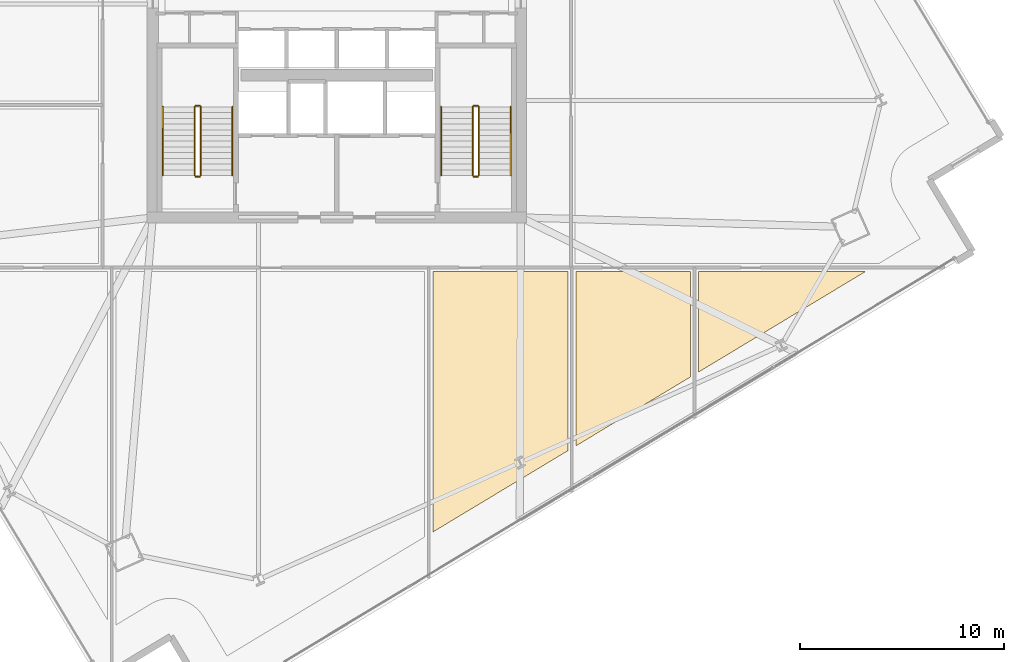
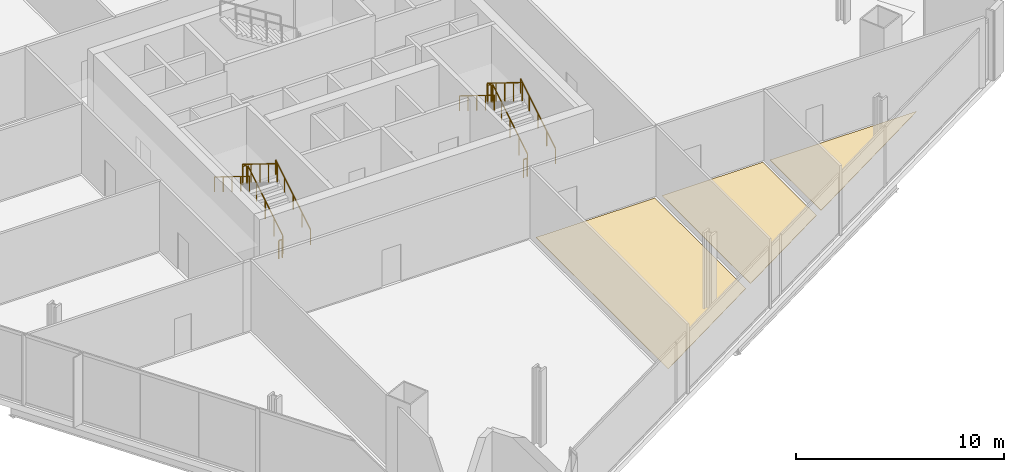
# One storey, part 27 of 30: 12 railings, 3 coverings.
"""IFC4 building model written with IfcOpenShell, lengths in metres."""

from ifc_helpers import new_model, si_unit, direction, frame, origin, origin_2d, place, context, subcontext, project, spatial, polyline, rectangle, outline, extrude, material, layer, layer_set, type_object, element, save


model = new_model("IFC4")

# Units and contexts
model_context = context("Model", 3, precision=1e-05, world=origin(), true_north=direction((0.0, 1.0)))
body_context = subcontext(model_context, "Body", "Model", "MODEL_VIEW")
ifc_project = project(units=[si_unit("LENGTHUNIT", "METRE"), si_unit("AREAUNIT", "SQUARE_METRE"), si_unit("VOLUMEUNIT", "CUBIC_METRE"), si_unit("PLANEANGLEUNIT", "RADIAN"), si_unit("MASSUNIT", "GRAM", prefix="KILO")], contexts=[model_context])

# Site, building, storey
site_placement = place(None, origin())
site = spatial("IfcSite", under=ifc_project, at=site_placement, CompositionType="ELEMENT")
building_placement = place(site_placement, origin())
building = spatial("IfcBuilding", under=site, at=building_placement, Name="Haldenkirk Collegiate Tower", CompositionType="ELEMENT")
storey_placement = place(building_placement, frame((0.0, 0.0, 131.699951171875)))
storey = spatial("IfcBuildingStorey", under=building, at=storey_placement, Name="L32", CompositionType="ELEMENT", Elevation=131.699951171875)

# Coverings
ifc_material_1 = material(Name="Polished collegiate terrazzo", Category="concrete")
ifc_layer_1 = layer(ifc_material_1, 0.02490234375)
ifc_layer_set_1 = layer_set([ifc_layer_1], Name="Polished collegiate terrazzo")
covering_type_1 = type_object("IfcCoveringType", Name="COV-FLOOR-TERRAZZO", PredefinedType="FLOORING", material=ifc_layer_set_1)
covering_1_placement = place(storey_placement, origin())
element("IfcCovering", 1, at=covering_1_placement, inside=storey, type_object=covering_type_1, Name="L32 academic room finish 04", PredefinedType="FLOORING", context=body_context, shape_type="SweptSolid", body=[
    extrude(outline(polyline([(47.699951171875, 6.83349609375), (47.699951171875, 15.35009765625), (53.300048828125, 15.35009765625), (53.300048828125, 10.204833984375), (47.699951171875, 6.83349609375)])), origin(), (0.0, 0.0, 1.0), 0.025146484375),
])
ifc_material_2 = material(Name="Engineered collegiate oak acoustic flooring", Category="wood")
ifc_layer_2 = layer(ifc_material_2, 0.02197265625)
ifc_layer_set_2 = layer_set([ifc_layer_2], Name="Engineered collegiate oak acoustic flooring")
covering_type_2 = type_object("IfcCoveringType", Name="COV-FLOOR-TIMBER", PredefinedType="FLOORING", material=ifc_layer_set_2)
covering_2_placement = place(storey_placement, origin())
element("IfcCovering", 2, at=covering_2_placement, inside=storey, type_object=covering_type_2, Name="L32 academic room finish 03", PredefinedType="FLOORING", context=body_context, shape_type="SweptSolid", body=[
    extrude(outline(polyline([(40.699951171875, 2.619140625), (40.699951171875, 15.35009765625), (47.300048828125, 15.35009765625), (47.300048828125, 6.592529296875), (40.699951171875, 2.619140625)])), origin(), (0.0, 0.0, 1.0), 0.02197265625),
])
covering_3_placement = place(storey_placement, origin())
element("IfcCovering", 3, at=covering_3_placement, inside=storey, type_object=covering_type_2, Name="L32 academic room finish 05", PredefinedType="FLOORING", context=body_context, shape_type="SweptSolid", body=[
    extrude(outline(polyline([(53.699951171875, 10.44580078125), (53.699951171875, 15.35009765625), (61.845947265625, 15.35009765625), (53.699951171875, 10.44580078125)])), origin(), (0.0, 0.0, 1.0), 0.02197265625),
])

# Railings
ifc_material_3 = material(Name="Painted architectural tubular steel", Category="steel")
railing_type_1 = type_object("IfcRailingType", Name="RLG-STAIR-GUARD-1100", PredefinedType="BALUSTRADE", material=ifc_material_3)
railing_1_placement = place(storey_placement, frame((29.35009765625, 20.050048828125, 0.173095703125)))
element("IfcRailing", 4, at=railing_1_placement, inside=storey, type_object=railing_type_1, Name="L32 ST-1 stair guard 1", PredefinedType="BALUSTRADE", context=body_context, shape_type="SweptSolid", body=[
    extrude(rectangle(XDim=0.048095703125, YDim=0.048095703125, at=origin_2d()), frame((0.0, 0.0, 1.076171875), z_axis=(0.0, 0.850606129759, 0.525803396734), x_axis=(-1.0, 0.0, 0.0)), (0.0, 0.0, 1.0), 3.949951171875),
    extrude(rectangle(XDim=0.0419921875, YDim=0.0419921875, at=origin_2d()), origin(), (0.0, 0.0, 1.0), 1.052001953125),
    extrude(rectangle(XDim=0.0419921875, YDim=0.0419921875, at=origin_2d()), frame((0.0, 0.83984375, 0.519287109375)), (0.0, 0.0, 1.0), 1.052001953125),
    extrude(rectangle(XDim=0.0419921875, YDim=0.0419921875, at=origin_2d()), frame((0.0, 1.679931640625, 1.03857421875)), (0.0, 0.0, 1.0), 1.052001953125),
    extrude(rectangle(XDim=0.0419921875, YDim=0.0419921875, at=origin_2d()), frame((0.0, 2.52001953125, 1.5576171875)), (0.0, 0.0, 1.0), 1.052001953125),
    extrude(rectangle(XDim=0.0419921875, YDim=0.0419921875, at=origin_2d()), frame((0.0, 3.35986328125, 2.076904296875)), (0.0, 0.0, 1.0), 1.052001953125),
])
railing_2_placement = place(storey_placement, frame((29.300048828125, 23.4599609375, 2.25)))
element("IfcRailing", 5, at=railing_2_placement, inside=storey, type_object=railing_type_1, Name="L32 ST-1 stair guard 2", PredefinedType="BALUSTRADE", context=body_context, shape_type="SweptSolid", body=[
    extrude(rectangle(XDim=0.048095703125, YDim=0.048095703125, at=origin_2d()), frame((0.0, 0.0, 1.076171875), z_axis=(-1.0, 0.0, 0.0), x_axis=(0.0, -1.0, 0.0)), (0.0, 0.0, 1.0), 0.199951171875),
    extrude(rectangle(XDim=0.0419921875, YDim=0.0419921875, at=origin_2d()), origin(), (0.0, 0.0, 1.0), 1.052001953125),
    extrude(rectangle(XDim=0.0419921875, YDim=0.0419921875, at=origin_2d()), frame((-0.199951171875, 0.0, 0.0)), (0.0, 0.0, 1.0), 1.052001953125),
])
railing_3_placement = place(storey_placement, frame((29.050048828125, 23.409912109375, 2.423095703125)))
element("IfcRailing", 6, at=railing_3_placement, inside=storey, type_object=railing_type_1, Name="L32 ST-1 stair guard 3", PredefinedType="BALUSTRADE", context=body_context, shape_type="SweptSolid", body=[
    extrude(rectangle(XDim=0.048095703125, YDim=0.048095703125, at=origin_2d()), frame((0.0, 0.0, 1.076171875), z_axis=(0.0, -0.850606129759, 0.525803396734), x_axis=(1.0, 0.0, 0.0)), (0.0, 0.0, 1.0), 3.949951171875),
    extrude(rectangle(XDim=0.0419921875, YDim=0.0419921875, at=origin_2d()), origin(), (0.0, 0.0, 1.0), 1.052001953125),
    extrude(rectangle(XDim=0.0419921875, YDim=0.0419921875, at=origin_2d()), frame((0.0, -0.83984375, 0.519287109375)), (0.0, 0.0, 1.0), 1.052001953125),
    extrude(rectangle(XDim=0.0419921875, YDim=0.0419921875, at=origin_2d()), frame((0.0, -1.679931640625, 1.03857421875)), (0.0, 0.0, 1.0), 1.052001953125),
    extrude(rectangle(XDim=0.0419921875, YDim=0.0419921875, at=origin_2d()), frame((0.0, -2.52001953125, 1.5576171875)), (0.0, 0.0, 1.0), 1.052001953125),
    extrude(rectangle(XDim=0.0419921875, YDim=0.0419921875, at=origin_2d()), frame((0.0, -3.35986328125, 2.076904296875)), (0.0, 0.0, 1.0), 1.052001953125),
])
railing_4_placement = place(storey_placement, frame((29.300048828125, 20.0, 0.0)))
element("IfcRailing", 7, at=railing_4_placement, inside=storey, type_object=railing_type_1, Name="L32 ST-1 stair guard 4", PredefinedType="BALUSTRADE", context=body_context, shape_type="SweptSolid", body=[
    extrude(rectangle(XDim=0.048095703125, YDim=0.048095703125, at=origin_2d()), frame((0.0, 0.0, 1.076171875), z_axis=(-1.0, 0.0, 0.0), x_axis=(0.0, -1.0, 0.0)), (0.0, 0.0, 1.0), 0.199951171875),
    extrude(rectangle(XDim=0.0419921875, YDim=0.0419921875, at=origin_2d()), origin(), (0.0, 0.0, 1.0), 1.052001953125),
    extrude(rectangle(XDim=0.0419921875, YDim=0.0419921875, at=origin_2d()), frame((-0.199951171875, 0.0, 0.0)), (0.0, 0.0, 1.0), 1.052001953125),
])
railing_5_placement = place(storey_placement, frame((42.949951171875, 20.050048828125, 0.173095703125)))
element("IfcRailing", 8, at=railing_5_placement, inside=storey, type_object=railing_type_1, Name="L32 ST-2 stair guard 1", PredefinedType="BALUSTRADE", context=body_context, shape_type="SweptSolid", body=[
    extrude(rectangle(XDim=0.048095703125, YDim=0.048095703125, at=origin_2d()), frame((0.0, 0.0, 1.076171875), z_axis=(0.0, 0.850606129759, 0.525803396734), x_axis=(-1.0, 0.0, 0.0)), (0.0, 0.0, 1.0), 3.949951171875),
    extrude(rectangle(XDim=0.0419921875, YDim=0.0419921875, at=origin_2d()), origin(), (0.0, 0.0, 1.0), 1.052001953125),
    extrude(rectangle(XDim=0.0419921875, YDim=0.0419921875, at=origin_2d()), frame((0.0, 0.83984375, 0.519287109375)), (0.0, 0.0, 1.0), 1.052001953125),
    extrude(rectangle(XDim=0.0419921875, YDim=0.0419921875, at=origin_2d()), frame((0.0, 1.679931640625, 1.03857421875)), (0.0, 0.0, 1.0), 1.052001953125),
    extrude(rectangle(XDim=0.0419921875, YDim=0.0419921875, at=origin_2d()), frame((0.0, 2.52001953125, 1.5576171875)), (0.0, 0.0, 1.0), 1.052001953125),
    extrude(rectangle(XDim=0.0419921875, YDim=0.0419921875, at=origin_2d()), frame((0.0, 3.35986328125, 2.076904296875)), (0.0, 0.0, 1.0), 1.052001953125),
])
railing_6_placement = place(storey_placement, frame((42.89990234375, 23.4599609375, 2.25)))
element("IfcRailing", 9, at=railing_6_placement, inside=storey, type_object=railing_type_1, Name="L32 ST-2 stair guard 2", PredefinedType="BALUSTRADE", context=body_context, shape_type="SweptSolid", body=[
    extrude(rectangle(XDim=0.048095703125, YDim=0.048095703125, at=origin_2d()), frame((0.0, 0.0, 1.076171875), z_axis=(-1.0, 0.0, 0.0), x_axis=(0.0, -1.0, 0.0)), (0.0, 0.0, 1.0), 0.199951171875),
    extrude(rectangle(XDim=0.0419921875, YDim=0.0419921875, at=origin_2d()), origin(), (0.0, 0.0, 1.0), 1.052001953125),
    extrude(rectangle(XDim=0.0419921875, YDim=0.0419921875, at=origin_2d()), frame((-0.199951171875, 0.0, 0.0)), (0.0, 0.0, 1.0), 1.052001953125),
])
railing_7_placement = place(storey_placement, frame((42.64990234375, 23.409912109375, 2.423095703125)))
element("IfcRailing", 10, at=railing_7_placement, inside=storey, type_object=railing_type_1, Name="L32 ST-2 stair guard 3", PredefinedType="BALUSTRADE", context=body_context, shape_type="SweptSolid", body=[
    extrude(rectangle(XDim=0.048095703125, YDim=0.048095703125, at=origin_2d()), frame((0.0, 0.0, 1.076171875), z_axis=(0.0, -0.850606129759, 0.525803396734), x_axis=(1.0, 0.0, 0.0)), (0.0, 0.0, 1.0), 3.949951171875),
    extrude(rectangle(XDim=0.0419921875, YDim=0.0419921875, at=origin_2d()), origin(), (0.0, 0.0, 1.0), 1.052001953125),
    extrude(rectangle(XDim=0.0419921875, YDim=0.0419921875, at=origin_2d()), frame((0.0, -0.83984375, 0.519287109375)), (0.0, 0.0, 1.0), 1.052001953125),
    extrude(rectangle(XDim=0.0419921875, YDim=0.0419921875, at=origin_2d()), frame((0.0, -1.679931640625, 1.03857421875)), (0.0, 0.0, 1.0), 1.052001953125),
    extrude(rectangle(XDim=0.0419921875, YDim=0.0419921875, at=origin_2d()), frame((0.0, -2.52001953125, 1.5576171875)), (0.0, 0.0, 1.0), 1.052001953125),
    extrude(rectangle(XDim=0.0419921875, YDim=0.0419921875, at=origin_2d()), frame((0.0, -3.35986328125, 2.076904296875)), (0.0, 0.0, 1.0), 1.052001953125),
])
railing_8_placement = place(storey_placement, frame((42.89990234375, 20.0, 0.0)))
element("IfcRailing", 11, at=railing_8_placement, inside=storey, type_object=railing_type_1, Name="L32 ST-2 stair guard 4", PredefinedType="BALUSTRADE", context=body_context, shape_type="SweptSolid", body=[
    extrude(rectangle(XDim=0.048095703125, YDim=0.048095703125, at=origin_2d()), frame((0.0, 0.0, 1.076171875), z_axis=(-1.0, 0.0, 0.0), x_axis=(0.0, -1.0, 0.0)), (0.0, 0.0, 1.0), 0.199951171875),
    extrude(rectangle(XDim=0.0419921875, YDim=0.0419921875, at=origin_2d()), origin(), (0.0, 0.0, 1.0), 1.052001953125),
    extrude(rectangle(XDim=0.0419921875, YDim=0.0419921875, at=origin_2d()), frame((-0.199951171875, 0.0, 0.0)), (0.0, 0.0, 1.0), 1.052001953125),
])
railing_type_2 = type_object("IfcRailingType", Name="RLG-STAIR-HANDRAIL-900", PredefinedType="HANDRAIL", material=ifc_material_3)
railing_9_placement = place(storey_placement, frame((30.89990234375, 20.050048828125, 0.173095703125)))
element("IfcRailing", 12, at=railing_9_placement, inside=storey, type_object=railing_type_2, Name="L32 ST-1 stair handrail 1", PredefinedType="HANDRAIL", context=body_context, shape_type="SweptSolid", body=[
    extrude(rectangle(XDim=0.048095703125, YDim=0.048095703125, at=origin_2d()), frame((0.0, 0.0, 0.8759765625), z_axis=(0.0, 0.850606129759, 0.525803396734), x_axis=(-1.0, 0.0, 0.0)), (0.0, 0.0, 1.0), 3.949951171875),
    extrude(rectangle(XDim=0.0419921875, YDim=0.0419921875, at=origin_2d()), origin(), (0.0, 0.0, 1.0), 0.851806640625),
    extrude(rectangle(XDim=0.0419921875, YDim=0.0419921875, at=origin_2d()), frame((0.0, 0.83984375, 0.519287109375)), (0.0, 0.0, 1.0), 0.851806640625),
    extrude(rectangle(XDim=0.0419921875, YDim=0.0419921875, at=origin_2d()), frame((0.0, 1.679931640625, 1.03857421875)), (0.0, 0.0, 1.0), 0.851806640625),
    extrude(rectangle(XDim=0.0419921875, YDim=0.0419921875, at=origin_2d()), frame((0.0, 2.52001953125, 1.5576171875)), (0.0, 0.0, 1.0), 0.851806640625),
    extrude(rectangle(XDim=0.0419921875, YDim=0.0419921875, at=origin_2d()), frame((0.0, 3.35986328125, 2.076904296875)), (0.0, 0.0, 1.0), 0.851806640625),
])
railing_10_placement = place(storey_placement, frame((27.5, 23.409912109375, 2.423095703125)))
element("IfcRailing", 13, at=railing_10_placement, inside=storey, type_object=railing_type_2, Name="L32 ST-1 stair handrail 2", PredefinedType="HANDRAIL", context=body_context, shape_type="SweptSolid", body=[
    extrude(rectangle(XDim=0.048095703125, YDim=0.048095703125, at=origin_2d()), frame((0.0, 0.0, 0.8759765625), z_axis=(0.0, -0.850606129759, 0.525803396734), x_axis=(1.0, 0.0, 0.0)), (0.0, 0.0, 1.0), 3.949951171875),
    extrude(rectangle(XDim=0.0419921875, YDim=0.0419921875, at=origin_2d()), origin(), (0.0, 0.0, 1.0), 0.851806640625),
    extrude(rectangle(XDim=0.0419921875, YDim=0.0419921875, at=origin_2d()), frame((0.0, -0.83984375, 0.519287109375)), (0.0, 0.0, 1.0), 0.851806640625),
    extrude(rectangle(XDim=0.0419921875, YDim=0.0419921875, at=origin_2d()), frame((0.0, -1.679931640625, 1.03857421875)), (0.0, 0.0, 1.0), 0.851806640625),
    extrude(rectangle(XDim=0.0419921875, YDim=0.0419921875, at=origin_2d()), frame((0.0, -2.52001953125, 1.5576171875)), (0.0, 0.0, 1.0), 0.851806640625),
    extrude(rectangle(XDim=0.0419921875, YDim=0.0419921875, at=origin_2d()), frame((0.0, -3.35986328125, 2.076904296875)), (0.0, 0.0, 1.0), 0.851806640625),
])
railing_11_placement = place(storey_placement, frame((44.5, 20.050048828125, 0.173095703125)))
element("IfcRailing", 14, at=railing_11_placement, inside=storey, type_object=railing_type_2, Name="L32 ST-2 stair handrail 1", PredefinedType="HANDRAIL", context=body_context, shape_type="SweptSolid", body=[
    extrude(rectangle(XDim=0.048095703125, YDim=0.048095703125, at=origin_2d()), frame((0.0, 0.0, 0.8759765625), z_axis=(0.0, 0.850606129759, 0.525803396734), x_axis=(-1.0, 0.0, 0.0)), (0.0, 0.0, 1.0), 3.949951171875),
    extrude(rectangle(XDim=0.0419921875, YDim=0.0419921875, at=origin_2d()), origin(), (0.0, 0.0, 1.0), 0.851806640625),
    extrude(rectangle(XDim=0.0419921875, YDim=0.0419921875, at=origin_2d()), frame((0.0, 0.83984375, 0.519287109375)), (0.0, 0.0, 1.0), 0.851806640625),
    extrude(rectangle(XDim=0.0419921875, YDim=0.0419921875, at=origin_2d()), frame((0.0, 1.679931640625, 1.03857421875)), (0.0, 0.0, 1.0), 0.851806640625),
    extrude(rectangle(XDim=0.0419921875, YDim=0.0419921875, at=origin_2d()), frame((0.0, 2.52001953125, 1.5576171875)), (0.0, 0.0, 1.0), 0.851806640625),
    extrude(rectangle(XDim=0.0419921875, YDim=0.0419921875, at=origin_2d()), frame((0.0, 3.35986328125, 2.076904296875)), (0.0, 0.0, 1.0), 0.851806640625),
])
railing_12_placement = place(storey_placement, frame((41.10009765625, 23.409912109375, 2.423095703125)))
element("IfcRailing", 15, at=railing_12_placement, inside=storey, type_object=railing_type_2, Name="L32 ST-2 stair handrail 2", PredefinedType="HANDRAIL", context=body_context, shape_type="SweptSolid", body=[
    extrude(rectangle(XDim=0.048095703125, YDim=0.048095703125, at=origin_2d()), frame((0.0, 0.0, 0.8759765625), z_axis=(0.0, -0.850606129759, 0.525803396734), x_axis=(1.0, 0.0, 0.0)), (0.0, 0.0, 1.0), 3.949951171875),
    extrude(rectangle(XDim=0.0419921875, YDim=0.0419921875, at=origin_2d()), origin(), (0.0, 0.0, 1.0), 0.851806640625),
    extrude(rectangle(XDim=0.0419921875, YDim=0.0419921875, at=origin_2d()), frame((0.0, -0.83984375, 0.519287109375)), (0.0, 0.0, 1.0), 0.851806640625),
    extrude(rectangle(XDim=0.0419921875, YDim=0.0419921875, at=origin_2d()), frame((0.0, -1.679931640625, 1.03857421875)), (0.0, 0.0, 1.0), 0.851806640625),
    extrude(rectangle(XDim=0.0419921875, YDim=0.0419921875, at=origin_2d()), frame((0.0, -2.52001953125, 1.5576171875)), (0.0, 0.0, 1.0), 0.851806640625),
    extrude(rectangle(XDim=0.0419921875, YDim=0.0419921875, at=origin_2d()), frame((0.0, -3.35986328125, 2.076904296875)), (0.0, 0.0, 1.0), 0.851806640625),
])

save(model, "model.ifc")
